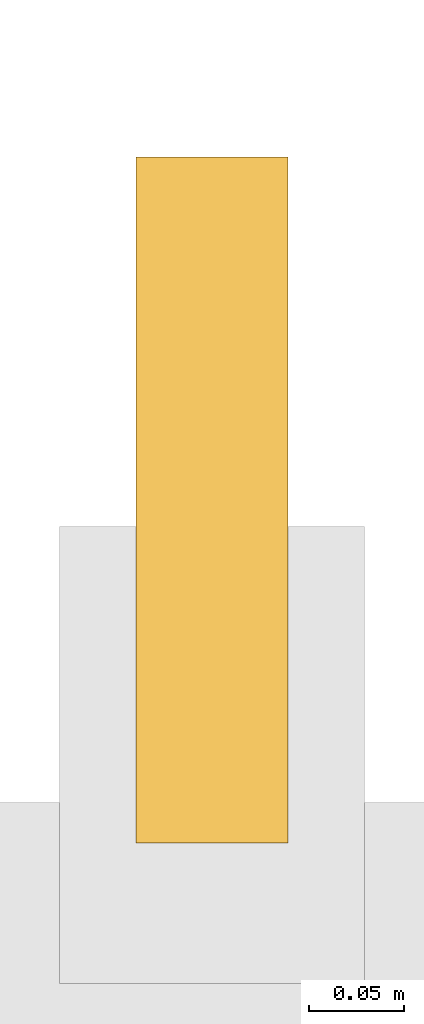
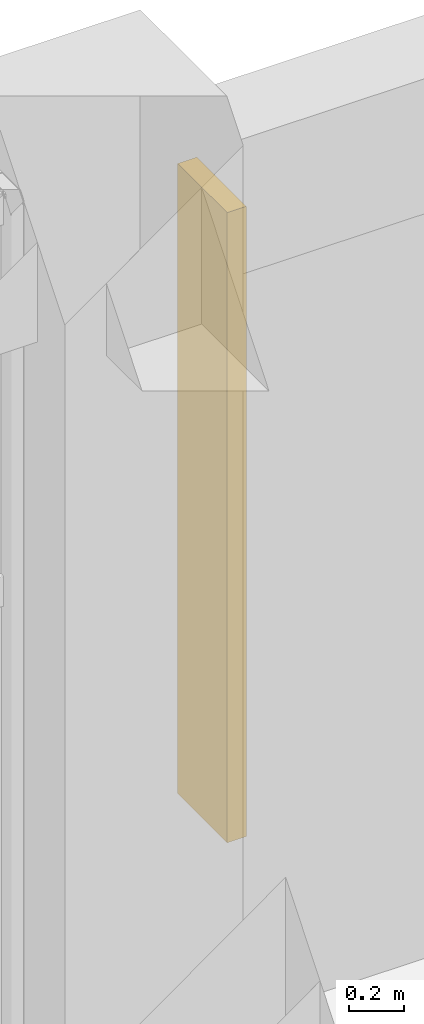
# One storey, part 144 of 148: 1 shading device.
"""IFC4 building model written with IfcOpenShell, lengths in metres."""

from ifc_helpers import new_model, si_unit, derived_unit, direction, frame, origin, origin_2d, place, context, subcontext, project, spatial, rectangle, extrude, material, type_object, element, save


model = new_model("IFC4")

# Units and contexts
model_context = context("Model", 3, precision=1e-05, world=origin(), true_north=direction((0.0, 1.0)))
body_context = subcontext(model_context, "Body", "Model", "MODEL_VIEW")
ifc_project = project(units=[si_unit("LENGTHUNIT", "METRE"), si_unit("AREAUNIT", "SQUARE_METRE"), si_unit("VOLUMEUNIT", "CUBIC_METRE"), si_unit("PLANEANGLEUNIT", "RADIAN"), si_unit("MASSUNIT", "GRAM", prefix="KILO"), derived_unit("THERMALTRANSMITTANCEUNIT", [(si_unit("MASSUNIT", "GRAM", prefix="KILO"), 1), (si_unit("TIMEUNIT", "SECOND"), -3), (si_unit("THERMODYNAMICTEMPERATUREUNIT", "KELVIN"), -1)])], contexts=[model_context])

# Site, building, storey
site_placement = place(None, origin())
site = spatial("IfcSite", under=ifc_project, at=site_placement, CompositionType="ELEMENT")
building_placement = place(site_placement, origin())
building = spatial("IfcBuilding", under=site, at=building_placement, Name="Zhenchuan Archway Interchange", CompositionType="ELEMENT")
storey_placement = place(building_placement, frame((0.0, 0.0, 10.199951171875)))
storey = spatial("IfcBuildingStorey", under=building, at=storey_placement, Name="L02", CompositionType="ELEMENT", Elevation=10.199951171875)

# Shading device
ifc_material = material(Name="Terracotta Ceramic", Category="masonry")
shading_device_type = type_object("IfcShadingDeviceType", Name="SHD_FIN_2", PredefinedType="USERDEFINED", material=ifc_material)
shading_device_placement = place(storey_placement, frame((126.653076171875, 104.333984375, 0.5498046875), z_axis=(0.0, 0.0, 1.0), x_axis=(1.0, 0.0, 0.0)))
element("IfcShadingDevice", 1, at=shading_device_placement, inside=storey, type_object=shading_device_type, Name="Terracotta vertical solar fin L02-085", ObjectType="FINS", PredefinedType="USERDEFINED", context=body_context, shape_type="SweptSolid", body=[
    extrude(rectangle(XDim=0.080078125, YDim=0.360107421875, at=origin_2d()), origin(), (0.0, 0.0, 1.0), 2.800048828125),
])

save(model, "model.ifc")
